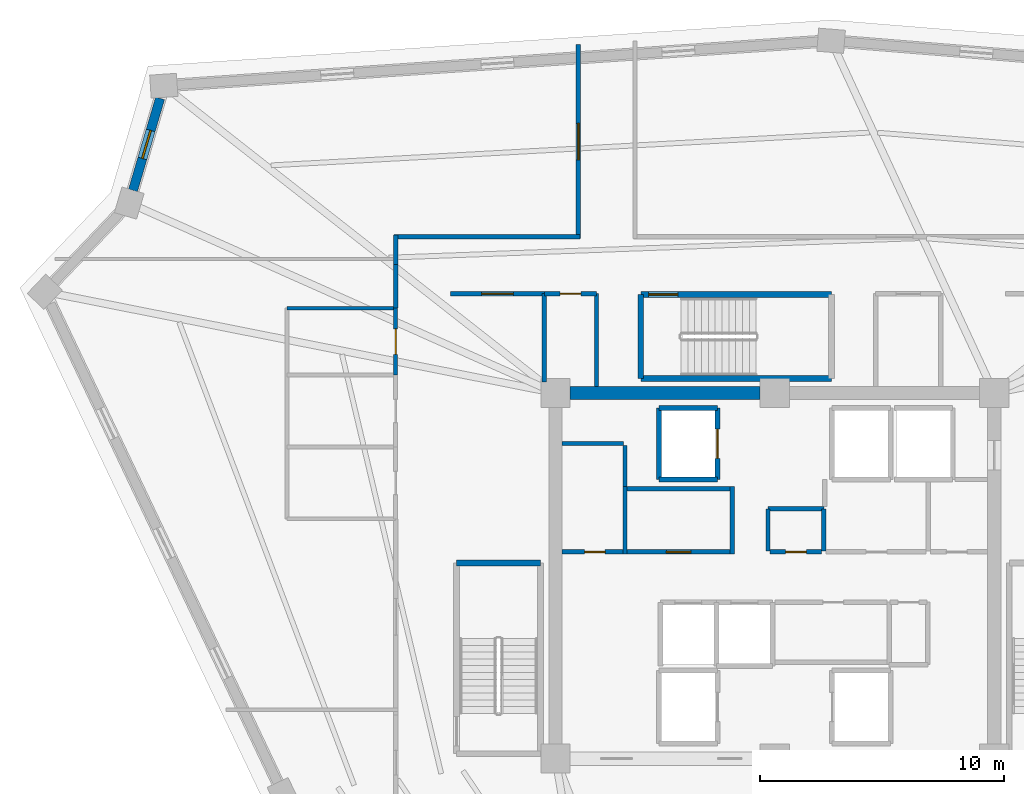
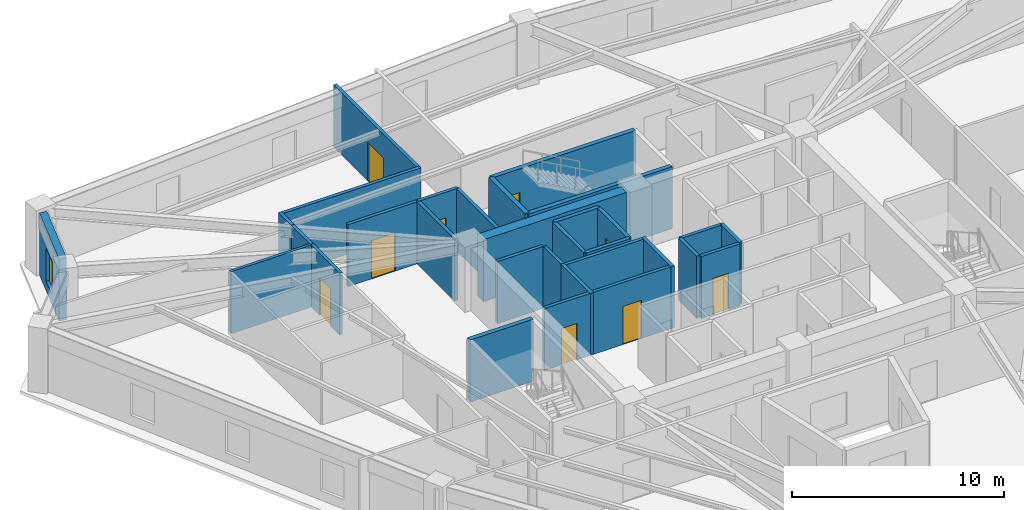
# One storey, part 5 of 8: 31 walls, 9 doors, 1 window, 10 openings.
"""IFC4 building model written with IfcOpenShell, lengths in metres."""

from ifc_helpers import new_model, si_unit, direction, frame, frame_2d, origin, place, context, subcontext, project, spatial, rectangle, extrude, source, transform, mapped, material, layer, layer_set, type_object, element, fill, save


model = new_model("IFC4")

# Units and contexts
model_context = context("Model", 3, precision=1e-05, world=origin(), true_north=direction((0.0, 1.0)))
body_context = subcontext(model_context, "Body", "Model", "MODEL_VIEW")
ifc_project = project(units=[si_unit("LENGTHUNIT", "METRE"), si_unit("AREAUNIT", "SQUARE_METRE"), si_unit("VOLUMEUNIT", "CUBIC_METRE"), si_unit("PLANEANGLEUNIT", "RADIAN"), si_unit("MASSUNIT", "GRAM", prefix="KILO")], contexts=[model_context])

# Site, building, storey
site_placement = place(None, origin())
site = spatial("IfcSite", under=ifc_project, at=site_placement, CompositionType="ELEMENT")
building_placement = place(site_placement, origin())
building = spatial("IfcBuilding", under=site, at=building_placement, Name="Liaohun Quay Tower", CompositionType="ELEMENT")
storey_placement = place(building_placement, frame((0.0, 0.0, 312.75)))
storey = spatial("IfcBuildingStorey", under=building, at=storey_placement, Name="L81", CompositionType="ELEMENT", Elevation=312.75)

# Wall
ifc_material_1 = material(Name="Concrete C50", Category="concrete")
ifc_layer_1 = layer(ifc_material_1, 0.550048828125, Name="Concrete C50", Category="concrete")
ifc_layer_set_1 = layer_set([ifc_layer_1], Name="Concrete C50")
wall_type_1 = type_object("IfcWallType", Name="WAL-COR-Z4", PredefinedType="SHEAR", material=ifc_layer_set_1)
wall_1_placement = place(storey_placement, frame((51.60009765625, 61.5, 0.0), z_axis=(0.0, 0.0, 1.0), x_axis=(1.0, 0.0, 0.0)))
element("IfcWall", 1, at=wall_1_placement, inside=storey, type_object=wall_type_1, Name="L81 Central Core Shear Wall N-W", PredefinedType="SHEAR", context=body_context, shape_type="SweptSolid", body=[
    extrude(rectangle(XDim=7.7998046875, YDim=0.550048828125, at=frame_2d((3.89990234375, 0.0))), origin(), (0.0, 0.0, 1.0), 3.570068359375),
])

# Wall, opening, window
ifc_material_2 = material(Name="Precast concrete C50 insulated sandwich", Category="concrete")
ifc_layer_2 = layer(ifc_material_2, 0.3798828125, Name="Precast concrete C50 insulated sandwich", Category="concrete")
ifc_layer_set_2 = layer_set([ifc_layer_2], Name="Precast concrete C50 insulated sandwich")
wall_type_2 = type_object("IfcWallType", Name="WAL-EXT-Z34", PredefinedType="SOLIDWALL", material=ifc_layer_set_2)
wall_2_placement = place(storey_placement, frame((34.77197265625, 73.591064453125, 0.0), z_axis=(0.0, 0.0, 1.0), x_axis=(-0.282434871617, -0.959286476134, 0.0)))
wall_2 = element("IfcWall", 2, at=wall_2_placement, inside=storey, type_object=wall_type_2, Name="L81 Brutalist Precast Pier Wall 08", PredefinedType="SOLIDWALL", context=body_context, shape_type="SweptSolid", body=[
    extrude(rectangle(XDim=3.9375, YDim=0.3798828125, at=frame_2d((1.96875, 0.0))), origin(), (0.0, 0.0, 1.0), 3.570068359375),
])
shared_shape_1 = source(origin(), body_context, "Body", "SweptSolid", [
    extrude(rectangle(XDim=1.199951171875, YDim=1.89990234375, at=frame_2d((0.60009765625, 0.949951171875))), frame((0.0, 0.199951171875, 0.0), z_axis=(0.0, -1.0, 0.0), x_axis=(1.0, 0.0, 0.0)), (0.0, 0.0, 1.0), 0.39990234375),
])
opening_1_placement = place(wall_2_placement, frame((1.368896484375, 0.0, 0.550048828125)))
opening_1 = element("IfcOpeningElement", 3, at=opening_1_placement, cuts=wall_2, Name="Opening W05", PredefinedType="OPENING", context=body_context, shape_type="MappedRepresentation", body=[
    mapped(shared_shape_1, transform((0.0, 0.0, 0.0), x_axis=(1.0, 0.0, 0.0), y_axis=(0.0, 1.0, 0.0), z_axis=(0.0, 0.0, 1.0), scale=1.0)),
])
ifc_material_3 = material(Name="Triple Low-E corner notch glazing", Category="glass")
window_type = type_object("IfcWindowType", Name="WIN-NOTCH", PartitioningType="SINGLE_PANEL", PredefinedType="WINDOW", material=ifc_material_3)
shared_shape_2 = source(origin(), body_context, "Body", "SweptSolid", [
    extrude(rectangle(XDim=1.199951171875, YDim=1.89990234375, at=frame_2d((0.60009765625, 0.949951171875))), frame((0.0, 0.030029296875, 0.0), z_axis=(0.0, -1.0, 0.0), x_axis=(1.0, 0.0, 0.0)), (0.0, 0.0, 1.0), 0.06005859375),
])
window_placement = place(opening_1_placement, origin())
window = element("IfcWindow", 4, at=window_placement, inside=storey, type_object=window_type, Name="L81 Corner Notch Window W05-08", OverallHeight=1.89990234375, OverallWidth=1.199951171875, PartitioningType="SINGLE_PANEL", PredefinedType="WINDOW", context=body_context, shape_type="MappedRepresentation", body=[
    mapped(shared_shape_2, transform((0.0, 0.0, 0.0), x_axis=(1.0, 0.0, 0.0), y_axis=(0.0, 1.0, 0.0), z_axis=(0.0, 0.0, 1.0), scale=1.0)),
])
fill(opening_1, window)

# Wall, opening, door
ifc_material_4 = material(Name="Autoclaved aerated concrete blockwork", Category="masonry")
ifc_layer_3 = layer(ifc_material_4, 0.179931640625, Name="Autoclaved aerated concrete blockwork", Category="masonry")
ifc_layer_set_3 = layer_set([ifc_layer_3], Name="Autoclaved aerated concrete blockwork")
wall_type_3 = type_object("IfcWallType", Name="WAL-PRT-COR", PredefinedType="PARTITIONING", material=ifc_layer_set_3)
wall_3_placement = place(storey_placement, frame((53.93994140625, 54.97998046875, 0.0), z_axis=(0.0, 0.0, 1.0), x_axis=(1.0, 0.0, 0.0)))
wall_3 = element("IfcWall", 5, at=wall_3_placement, inside=storey, type_object=wall_type_3, Name="L81 Interior Partition Wall 002", PredefinedType="PARTITIONING", context=body_context, shape_type="SweptSolid", body=[
    extrude(rectangle(XDim=4.219970703125, YDim=0.179931640625, at=frame_2d((2.10986328125, 0.0))), origin(), (0.0, 0.0, 1.0), 3.570068359375),
])
shared_shape_3 = source(origin(), body_context, "Body", "SweptSolid", [
    extrude(rectangle(XDim=1.0, YDim=2.199951171875, at=frame_2d((0.5, 1.10009765625))), frame((0.0, 0.099853515625, 0.0), z_axis=(0.0, -1.0, 0.0), x_axis=(1.0, 0.0, 0.0)), (0.0, 0.0, 1.0), 0.199951171875),
])
opening_2_placement = place(wall_3_placement, frame((1.610107421875, 0.0, 0.0)))
opening_2 = element("IfcOpeningElement", 6, at=opening_2_placement, cuts=wall_3, Name="Opening OD1", PredefinedType="OPENING", context=body_context, shape_type="MappedRepresentation", body=[
    mapped(shared_shape_3, transform((0.0, 0.0, 0.0), x_axis=(1.0, 0.0, 0.0), y_axis=(0.0, 1.0, 0.0), z_axis=(0.0, 0.0, 1.0), scale=1.0)),
])
ifc_material_5 = material(Name="Solid-core oak veneer timber leaf in steel frame", Category="steel")
door_type_1 = type_object("IfcDoorType", Name="DOR-OFF-1000", OperationType="NOTDEFINED", PredefinedType="DOOR", material=ifc_material_5)
shared_shape_4 = source(origin(), body_context, "Body", "SweptSolid", [
    extrude(rectangle(XDim=1.0, YDim=2.199951171875, at=frame_2d((0.5, 1.10009765625))), frame((0.0, 0.02490234375, 0.0), z_axis=(0.0, -1.0, 0.0), x_axis=(1.0, 0.0, 0.0)), (0.0, 0.0, 1.0), 0.050048828125),
])
door_1_placement = place(opening_2_placement, origin())
door_1 = element("IfcDoor", 7, at=door_1_placement, inside=storey, type_object=door_type_1, Name="L81 Core Staff Pantry and Tea Room Door", OperationType="SINGLE_SWING_LEFT", OverallHeight=2.199951171875, OverallWidth=1.0, PredefinedType="DOOR", context=body_context, shape_type="MappedRepresentation", body=[
    mapped(shared_shape_4, transform((0.0, 0.0, 0.0), x_axis=(1.0, 0.0, 0.0), y_axis=(0.0, 1.0, 0.0), z_axis=(0.0, 0.0, 1.0), scale=1.0)),
])
fill(opening_2, door_1)

wall_4_placement = place(storey_placement, frame((51.27490234375, 54.97998046875, 0.0), z_axis=(0.0, 0.0, 1.0), x_axis=(1.0, 0.0, 0.0)))
wall_4 = element("IfcWall", 8, at=wall_4_placement, inside=storey, type_object=wall_type_3, Name="L81 Interior Partition Wall 003", PredefinedType="PARTITIONING", context=body_context, shape_type="SweptSolid", body=[
    extrude(rectangle(XDim=2.485107421875, YDim=0.179931640625, at=frame_2d((1.24267578125, 0.0))), origin(), (0.0, 0.0, 1.0), 3.570068359375),
])
shared_shape_5 = source(origin(), body_context, "Body", "SweptSolid", [
    extrude(rectangle(XDim=0.85009765625, YDim=2.10009765625, at=frame_2d((0.425048828125, 1.050048828125))), frame((0.0, 0.099853515625, 0.0), z_axis=(0.0, -1.0, 0.0), x_axis=(1.0, 0.0, 0.0)), (0.0, 0.0, 1.0), 0.199951171875),
])
opening_3_placement = place(wall_4_placement, frame((0.9150390625, 0.0, 0.0)))
opening_3 = element("IfcOpeningElement", 9, at=opening_3_placement, cuts=wall_4, Name="Opening AD1", PredefinedType="OPENING", context=body_context, shape_type="MappedRepresentation", body=[
    mapped(shared_shape_5, transform((0.0, 0.0, 0.0), x_axis=(1.0, 0.0, 0.0), y_axis=(0.0, 1.0, 0.0), z_axis=(0.0, 0.0, 1.0), scale=1.0)),
])
ifc_material_6 = material(Name="Steel riser inspection fire door", Category="steel")
door_type_2 = type_object("IfcDoorType", Name="DOR-SHF-850", OperationType="NOTDEFINED", PredefinedType="DOOR", material=ifc_material_6)
shared_shape_6 = source(origin(), body_context, "Body", "SweptSolid", [
    extrude(rectangle(XDim=0.85009765625, YDim=2.10009765625, at=frame_2d((0.425048828125, 1.050048828125))), frame((0.0, 0.02490234375, 0.0), z_axis=(0.0, -1.0, 0.0), x_axis=(1.0, 0.0, 0.0)), (0.0, 0.0, 1.0), 0.050048828125),
])
door_2_placement = place(opening_3_placement, origin())
door_2 = element("IfcDoor", 10, at=door_2_placement, inside=storey, type_object=door_type_2, Name="L81 Core High-Zone Archive and Riser Store Door", OperationType="SINGLE_SWING_RIGHT", OverallHeight=2.10009765625, OverallWidth=0.85009765625, PredefinedType="DOOR", context=body_context, shape_type="MappedRepresentation", body=[
    mapped(shared_shape_6, transform((0.0, 0.0, 0.0), x_axis=(1.0, 0.0, 0.0), y_axis=(0.0, 1.0, 0.0), z_axis=(0.0, 0.0, 1.0), scale=1.0)),
])
fill(opening_3, door_2)

wall_5_placement = place(storey_placement, frame((59.81005859375, 54.97998046875, 0.0), z_axis=(0.0, 0.0, 1.0), x_axis=(1.0, 0.0, 0.0)))
wall_5 = element("IfcWall", 11, at=wall_5_placement, inside=storey, type_object=wall_type_3, Name="L81 Interior Partition Wall 006", PredefinedType="PARTITIONING", context=body_context, shape_type="SweptSolid", body=[
    extrude(rectangle(XDim=2.10986328125, YDim=0.179931640625, at=frame_2d((1.054931640625, 0.0))), origin(), (0.0, 0.0, 1.0), 3.570068359375),
])
opening_4_placement = place(wall_5_placement, frame((0.635009765625, 0.0, 0.0)))
opening_4 = element("IfcOpeningElement", 12, at=opening_4_placement, cuts=wall_5, Name="Opening AD1", PredefinedType="OPENING", context=body_context, shape_type="MappedRepresentation", body=[
    mapped(shared_shape_5, transform((0.0, 0.0, 0.0), x_axis=(1.0, 0.0, 0.0), y_axis=(0.0, 1.0, 0.0), z_axis=(0.0, 0.0, 1.0), scale=1.0)),
])
door_3_placement = place(opening_4_placement, origin())
door_3 = element("IfcDoor", 13, at=door_3_placement, inside=storey, type_object=door_type_2, Name="L81 Electrical Meter Room Door", OperationType="SINGLE_SWING_LEFT", OverallHeight=2.10009765625, OverallWidth=0.85009765625, PredefinedType="DOOR", context=body_context, shape_type="MappedRepresentation", body=[
    mapped(shared_shape_6, transform((0.0, 0.0, 0.0), x_axis=(1.0, 0.0, 0.0), y_axis=(0.0, 1.0, 0.0), z_axis=(0.0, 0.0, 1.0), scale=1.0)),
])
fill(opening_4, door_3)

wall_6_placement = place(storey_placement, frame((50.5400390625, 65.580078125, 0.0), z_axis=(0.0, 0.0, 1.0), x_axis=(1.0, 0.0, 0.0)))
wall_6 = element("IfcWall", 14, at=wall_6_placement, inside=storey, type_object=wall_type_3, Name="L81 Interior Partition Wall 011", PredefinedType="PARTITIONING", context=body_context, shape_type="SweptSolid", body=[
    extrude(rectangle(XDim=2.139892578125, YDim=0.179931640625, at=frame_2d((1.06982421875, 0.0))), origin(), (0.0, 0.0, 1.0), 3.570068359375),
])
opening_5_placement = place(wall_6_placement, frame((0.64501953125, 0.0, 0.0)))
opening_5 = element("IfcOpeningElement", 15, at=opening_5_placement, cuts=wall_6, Name="Opening AD1", PredefinedType="OPENING", context=body_context, shape_type="MappedRepresentation", body=[
    mapped(shared_shape_5, transform((0.0, 0.0, 0.0), x_axis=(1.0, 0.0, 0.0), y_axis=(0.0, 1.0, 0.0), z_axis=(0.0, 0.0, 1.0), scale=1.0)),
])
door_4_placement = place(opening_5_placement, origin())
door_4 = element("IfcDoor", 16, at=door_4_placement, inside=storey, type_object=door_type_2, Name="L81 North-West Supply Store Door", OperationType="SINGLE_SWING_RIGHT", OverallHeight=2.10009765625, OverallWidth=0.85009765625, PredefinedType="DOOR", context=body_context, shape_type="MappedRepresentation", body=[
    mapped(shared_shape_6, transform((0.0, 0.0, 0.0), x_axis=(1.0, 0.0, 0.0), y_axis=(0.0, 1.0, 0.0), z_axis=(0.0, 0.0, 1.0), scale=1.0)),
])
fill(opening_5, door_4)

wall_7_placement = place(storey_placement, frame((46.699951171875, 65.580078125, 0.0), z_axis=(0.0, 0.0, 1.0), x_axis=(1.0, 0.0, 0.0)))
wall_7 = element("IfcWall", 17, at=wall_7_placement, inside=storey, type_object=wall_type_3, Name="L81 Interior Partition Wall 013", PredefinedType="PARTITIONING", context=body_context, shape_type="SweptSolid", body=[
    extrude(rectangle(XDim=3.840087890625, YDim=0.179931640625, at=frame_2d((1.919921875, 0.0))), origin(), (0.0, 0.0, 1.0), 3.570068359375),
])
shared_shape_7 = source(origin(), body_context, "Body", "SweptSolid", [
    extrude(rectangle(XDim=1.300048828125, YDim=2.199951171875, at=frame_2d((0.64990234375, 1.10009765625))), frame((0.0, 0.099853515625, 0.0), z_axis=(0.0, -1.0, 0.0), x_axis=(1.0, 0.0, 0.0)), (0.0, 0.0, 1.0), 0.199951171875),
])
opening_6_placement = place(wall_7_placement, frame((1.27001953125, 0.0, 0.0)))
opening_6 = element("IfcOpeningElement", 18, at=opening_6_placement, cuts=wall_7, Name="Opening FD1", PredefinedType="OPENING", context=body_context, shape_type="MappedRepresentation", body=[
    mapped(shared_shape_7, transform((0.0, 0.0, 0.0), x_axis=(1.0, 0.0, 0.0), y_axis=(0.0, 1.0, 0.0), z_axis=(0.0, 0.0, 1.0), scale=1.0)),
])
ifc_material_7 = material(Name="Galvanised steel smokeproof fire door", Category="steel")
door_type_3 = type_object("IfcDoorType", Name="DOR-FFL-1300", OperationType="NOTDEFINED", PredefinedType="DOOR", material=ifc_material_7)
shared_shape_8 = source(origin(), body_context, "Body", "SweptSolid", [
    extrude(rectangle(XDim=1.300048828125, YDim=2.199951171875, at=frame_2d((0.64990234375, 1.10009765625))), frame((0.0, 0.02490234375, 0.0), z_axis=(0.0, -1.0, 0.0), x_axis=(1.0, 0.0, 0.0)), (0.0, 0.0, 1.0), 0.050048828125),
])
door_5_placement = place(opening_6_placement, origin())
door_5 = element("IfcDoor", 19, at=door_5_placement, inside=storey, type_object=door_type_3, Name="L81 West Core Vestibule Door", OperationType="SINGLE_SWING_RIGHT", OverallHeight=2.199951171875, OverallWidth=1.300048828125, PredefinedType="DOOR", context=body_context, shape_type="MappedRepresentation", body=[
    mapped(shared_shape_8, transform((0.0, 0.0, 0.0), x_axis=(1.0, 0.0, 0.0), y_axis=(0.0, 1.0, 0.0), z_axis=(0.0, 0.0, 1.0), scale=1.0)),
])
fill(opening_6, door_5)

wall_8_placement = place(storey_placement, frame((51.93994140625, 67.840087890625, 0.0), z_axis=(0.0, 0.0, 1.0), x_axis=(0.0, 1.0, 0.0)))
wall_8 = element("IfcWall", 20, at=wall_8_placement, inside=storey, type_object=wall_type_3, Name="L81 Interior Partition Wall 018", PredefinedType="PARTITIONING", context=body_context, shape_type="SweptSolid", body=[
    extrude(rectangle(XDim=7.95703125, YDim=0.179931640625, at=frame_2d((3.978515625, 0.0))), origin(), (0.0, 0.0, 1.0), 3.570068359375),
])
shared_shape_9 = source(origin(), body_context, "Body", "SweptSolid", [
    extrude(rectangle(XDim=1.5, YDim=2.199951171875, at=frame_2d((0.75, 1.10009765625))), frame((0.0, 0.099853515625, 0.0), z_axis=(0.0, -1.0, 0.0), x_axis=(1.0, 0.0, 0.0)), (0.0, 0.0, 1.0), 0.199951171875),
])
opening_7_placement = place(wall_8_placement, frame((3.22802734375, 0.0, 0.0)))
opening_7 = element("IfcOpeningElement", 21, at=opening_7_placement, cuts=wall_8, Name="Opening OD2", PredefinedType="OPENING", context=body_context, shape_type="MappedRepresentation", body=[
    mapped(shared_shape_9, transform((0.0, 0.0, 0.0), x_axis=(1.0, 0.0, 0.0), y_axis=(0.0, 1.0, 0.0), z_axis=(0.0, 0.0, 1.0), scale=1.0)),
])
ifc_material_8 = material(Name="Acoustic oak veneer double door")
door_type_4 = type_object("IfcDoorType", Name="DOR-OFF-1500", OperationType="DOUBLE_DOOR_SINGLE_SWING", PredefinedType="DOOR", material=ifc_material_8)
shared_shape_10 = source(origin(), body_context, "Body", "SweptSolid", [
    extrude(rectangle(XDim=1.5, YDim=2.199951171875, at=frame_2d((0.75, 1.10009765625))), frame((0.0, 0.02490234375, 0.0), z_axis=(0.0, -1.0, 0.0), x_axis=(1.0, 0.0, 0.0)), (0.0, 0.0, 1.0), 0.050048828125),
])
door_6_placement = place(opening_7_placement, origin())
door_6 = element("IfcDoor", 22, at=door_6_placement, inside=storey, type_object=door_type_4, Name="L81 Project Collaboration Studio 04 Door", OperationType="DOUBLE_DOOR_SINGLE_SWING", OverallHeight=2.199951171875, OverallWidth=1.5, PredefinedType="DOOR", context=body_context, shape_type="MappedRepresentation", body=[
    mapped(shared_shape_10, transform((0.0, 0.0, 0.0), x_axis=(1.0, 0.0, 0.0), y_axis=(0.0, 1.0, 0.0), z_axis=(0.0, 0.0, 1.0), scale=1.0)),
])
fill(opening_7, door_6)

# Walls
wall_9_placement = place(storey_placement, frame((51.27490234375, 59.429931640625, 0.0), z_axis=(0.0, 0.0, 1.0), x_axis=(1.0, 0.0, 0.0)))
element("IfcWall", 23, at=wall_9_placement, inside=storey, type_object=wall_type_3, Name="L81 Interior Partition Wall 024", PredefinedType="PARTITIONING", context=body_context, shape_type="SweptSolid", body=[
    extrude(rectangle(XDim=2.505126953125, YDim=0.179931640625, at=frame_2d((1.25244140625, 0.0))), origin(), (0.0, 0.0, 1.0), 3.570068359375),
])
for number, where, z_axis, x_axis, name in (
    (24, (59.719970703125, 55.02001953125, 0.0), (0.0, 0.0, 1.0), (0.0, 1.0, 0.0), "L81 Interior Partition Wall 026"),
    (25, (62.010009765625, 55.02001953125, 0.0), (0.0, 0.0, 1.0), (0.0, 1.0, 0.0), "L81 Interior Partition Wall 027"),
):
    element("IfcWall", number, at=place(storey_placement, frame(where, z_axis=z_axis, x_axis=x_axis)), inside=storey, type_object=wall_type_3, Name=name, PredefinedType="PARTITIONING", context=body_context, shape_type="SweptSolid", body=[
        extrude(rectangle(XDim=1.72998046875, YDim=0.179931640625, at=frame_2d((0.864990234375, 0.0))), origin(), (0.0, 0.0, 1.0), 3.570068359375),
    ])
wall_10_placement = place(storey_placement, frame((59.719970703125, 56.75, 0.0), z_axis=(0.0, 0.0, 1.0), x_axis=(1.0, 0.0, 0.0)))
element("IfcWall", 26, at=wall_10_placement, inside=storey, type_object=wall_type_3, Name="L81 Interior Partition Wall 028", PredefinedType="PARTITIONING", context=body_context, shape_type="SweptSolid", body=[
    extrude(rectangle(XDim=2.2900390625, YDim=0.179931640625, at=frame_2d((1.14501953125, 0.0))), origin(), (0.0, 0.0, 1.0), 3.570068359375),
])
wall_11_placement = place(storey_placement, frame((50.5400390625, 61.949951171875, 0.0), z_axis=(0.0, 0.0, 1.0), x_axis=(0.0, 1.0, 0.0)))
element("IfcWall", 27, at=wall_11_placement, inside=storey, type_object=wall_type_3, Name="L81 Interior Partition Wall 037", PredefinedType="PARTITIONING", context=body_context, shape_type="SweptSolid", body=[
    extrude(rectangle(XDim=3.630126953125, YDim=0.179931640625, at=frame_2d((1.81494140625, 0.0))), origin(), (0.0, 0.0, 1.0), 3.570068359375),
])
wall_12_placement = place(storey_placement, frame((52.679931640625, 61.77490234375, 0.0), z_axis=(0.0, 0.0, 1.0), x_axis=(0.0, 1.0, 0.0)))
element("IfcWall", 28, at=wall_12_placement, inside=storey, type_object=wall_type_3, Name="L81 Interior Partition Wall 038", PredefinedType="PARTITIONING", context=body_context, shape_type="SweptSolid", body=[
    extrude(rectangle(XDim=3.80517578125, YDim=0.179931640625, at=frame_2d((1.902587890625, 0.0))), origin(), (0.0, 0.0, 1.0), 3.570068359375),
])
wall_13_placement = place(storey_placement, frame((44.3701171875, 67.909912109375, 0.0), z_axis=(0.0, 0.0, 1.0), x_axis=(1.0, 0.0, 0.0)))
element("IfcWall", 29, at=wall_13_placement, inside=storey, type_object=wall_type_3, Name="L81 Interior Partition Wall 044", PredefinedType="PARTITIONING", context=body_context, shape_type="SweptSolid", body=[
    extrude(rectangle(XDim=7.639892578125, YDim=0.179931640625, at=frame_2d((3.81982421875, 0.0))), origin(), (0.0, 0.0, 1.0), 3.570068359375),
])
wall_14_placement = place(storey_placement, frame((44.43994140625, 66.784912109375, 0.0), z_axis=(0.0, 0.0, 1.0), x_axis=(0.0, 1.0, 0.0)))
element("IfcWall", 30, at=wall_14_placement, inside=storey, type_object=wall_type_3, Name="L81 Interior Partition Wall 045", PredefinedType="PARTITIONING", context=body_context, shape_type="SweptSolid", body=[
    extrude(rectangle(XDim=1.195068359375, YDim=0.179931640625, at=frame_2d((0.59765625, 0.0))), origin(), (0.0, 0.0, 1.0), 3.570068359375),
])
wall_15_placement = place(storey_placement, frame((44.43994140625, 64.97998046875, 0.0), z_axis=(0.0, 0.0, 1.0), x_axis=(0.0, 1.0, 0.0)))
element("IfcWall", 31, at=wall_15_placement, inside=storey, type_object=wall_type_3, Name="L81 Interior Partition Wall 046", PredefinedType="PARTITIONING", context=body_context, shape_type="SweptSolid", body=[
    extrude(rectangle(XDim=1.804931640625, YDim=0.179931640625, at=frame_2d((0.90234375, 0.0))), origin(), (0.0, 0.0, 1.0), 3.570068359375),
])
for number, where, z_axis, x_axis, name in (
    (32, (53.85009765625, 54.889892578125, 0.0), (0.0, 0.0, 1.0), (0.0, 1.0, 0.0), "L81 Interior Partition Wall 058"),
    (33, (58.25, 54.889892578125, 0.0), (0.0, 0.0, 1.0), (0.0, 1.0, 0.0), "L81 Interior Partition Wall 059"),
):
    element("IfcWall", number, at=place(storey_placement, frame(where, z_axis=z_axis, x_axis=x_axis)), inside=storey, type_object=wall_type_3, Name=name, PredefinedType="PARTITIONING", context=body_context, shape_type="SweptSolid", body=[
        extrude(rectangle(XDim=2.780029296875, YDim=0.179931640625, at=frame_2d((1.39013671875, 0.0))), origin(), (0.0, 0.0, 1.0), 3.570068359375),
    ])
wall_16_placement = place(storey_placement, frame((53.93994140625, 57.580078125, 0.0), z_axis=(0.0, 0.0, 1.0), x_axis=(1.0, 0.0, 0.0)))
element("IfcWall", 34, at=wall_16_placement, inside=storey, type_object=wall_type_3, Name="L81 Interior Partition Wall 060", PredefinedType="PARTITIONING", context=body_context, shape_type="SweptSolid", body=[
    extrude(rectangle(XDim=4.219970703125, YDim=0.179931640625, at=frame_2d((2.10986328125, 0.0))), origin(), (0.0, 0.0, 1.0), 3.570068359375),
])
wall_17_placement = place(storey_placement, frame((53.85009765625, 57.669921875, 0.0), z_axis=(0.0, 0.0, 1.0), x_axis=(0.0, 1.0, 0.0)))
element("IfcWall", 35, at=wall_17_placement, inside=storey, type_object=wall_type_3, Name="L81 Interior Partition Wall 061", PredefinedType="PARTITIONING", context=body_context, shape_type="SweptSolid", body=[
    extrude(rectangle(XDim=1.670166015625, YDim=0.179931640625, at=frame_2d((0.8349609375, 0.0))), origin(), (0.0, 0.0, 1.0), 3.570068359375),
])

# Wall, opening, door
ifc_material_9 = material(Name="Moisture-resistant masonry blockwork", Category="masonry")
ifc_layer_4 = layer(ifc_material_9, 0.159912109375, Name="Moisture-resistant masonry blockwork", Category="masonry")
ifc_layer_set_4 = layer_set([ifc_layer_4], Name="Moisture-resistant masonry blockwork")
wall_type_4 = type_object("IfcWallType", Name="WAL-PRT-WET", PredefinedType="PARTITIONING", material=ifc_layer_set_4)
wall_18_placement = place(storey_placement, frame((44.43994140625, 62.239990234375, 0.0), z_axis=(0.0, 0.0, 1.0), x_axis=(0.0, 1.0, 0.0)))
wall_18 = element("IfcWall", 36, at=wall_18_placement, inside=storey, type_object=wall_type_4, Name="L81 Interior Partition Wall 010", PredefinedType="PARTITIONING", context=body_context, shape_type="SweptSolid", body=[
    extrude(rectangle(XDim=2.739990234375, YDim=0.159912109375, at=frame_2d((1.3701171875, 0.0))), origin(), (0.0, 0.0, 1.0), 3.570068359375),
])
shared_shape_11 = source(origin(), body_context, "Body", "SweptSolid", [
    extrude(rectangle(XDim=1.050048828125, YDim=2.14990234375, at=frame_2d((0.52490234375, 1.074951171875))), frame((0.0, 0.08984375, 0.0), z_axis=(0.0, -1.0, 0.0), x_axis=(1.0, 0.0, 0.0)), (0.0, 0.0, 1.0), 0.179931640625),
])
opening_8_placement = place(wall_18_placement, frame((0.844970703125, 0.0, 0.0)))
opening_8 = element("IfcOpeningElement", 37, at=opening_8_placement, cuts=wall_18, Name="Opening WD2", PredefinedType="OPENING", context=body_context, shape_type="MappedRepresentation", body=[
    mapped(shared_shape_11, transform((0.0, 0.0, 0.0), x_axis=(1.0, 0.0, 0.0), y_axis=(0.0, 1.0, 0.0), z_axis=(0.0, 0.0, 1.0), scale=1.0)),
])
ifc_material_10 = material(Name="Accessible outward-swinging laminate door")
door_type_5 = type_object("IfcDoorType", Name="DOR-AWC-1050", OperationType="NOTDEFINED", PredefinedType="DOOR", material=ifc_material_10)
shared_shape_12 = source(origin(), body_context, "Body", "SweptSolid", [
    extrude(rectangle(XDim=1.050048828125, YDim=2.14990234375, at=frame_2d((0.52490234375, 1.074951171875))), frame((0.0, 0.02490234375, 0.0), z_axis=(0.0, -1.0, 0.0), x_axis=(1.0, 0.0, 0.0)), (0.0, 0.0, 1.0), 0.050048828125),
])
door_7_placement = place(opening_8_placement, origin())
door_7 = element("IfcDoor", 38, at=door_7_placement, inside=storey, type_object=door_type_5, Name="L81 Accessible WC Door", OperationType="SINGLE_SWING_LEFT", OverallHeight=2.14990234375, OverallWidth=1.050048828125, PredefinedType="DOOR", context=body_context, shape_type="MappedRepresentation", body=[
    mapped(shared_shape_12, transform((0.0, 0.0, 0.0), x_axis=(1.0, 0.0, 0.0), y_axis=(0.0, 1.0, 0.0), z_axis=(0.0, 0.0, 1.0), scale=1.0)),
])
fill(opening_8, door_7)

# Walls
wall_19_placement = place(storey_placement, frame((39.97998046875, 64.97998046875, 0.0), z_axis=(0.0, 0.0, 1.0), x_axis=(1.0, 0.0, 0.0)))
element("IfcWall", 39, at=wall_19_placement, inside=storey, type_object=wall_type_4, Name="L81 Interior Partition Wall 036", PredefinedType="PARTITIONING", context=body_context, shape_type="SweptSolid", body=[
    extrude(rectangle(XDim=4.4599609375, YDim=0.159912109375, at=frame_2d((2.22998046875, 0.0))), origin(), (0.0, 0.0, 1.0), 3.570068359375),
])
ifc_layer_5 = layer(ifc_material_1, 0.239990234375, Name="Concrete C50", Category="concrete")
ifc_layer_set_5 = layer_set([ifc_layer_5], Name="Concrete C50")
wall_type_5 = type_object("IfcWallType", Name="WAL-SHF-200", PredefinedType="SOLIDWALL", material=ifc_layer_set_5)
wall_20_placement = place(storey_placement, frame((50.3798828125, 54.52001953125, 0.0), z_axis=(0.0, 0.0, 1.0), x_axis=(-1.0, 0.0, 0.0)))
element("IfcWall", 40, at=wall_20_placement, inside=storey, type_object=wall_type_5, Name="L81 Stairwell ST-1 Structural Core Wall N", PredefinedType="SOLIDWALL", context=body_context, shape_type="SweptSolid", body=[
    extrude(rectangle(XDim=3.43994140625, YDim=0.239990234375, at=frame_2d((1.719970703125, 0.0))), origin(), (0.0, 0.0, 1.0), 3.570068359375),
])
wall_21_placement = place(storey_placement, frame((54.5, 62.10009765625, 0.0), z_axis=(0.0, 0.0, 1.0), x_axis=(1.0, 0.0, 0.0)))
element("IfcWall", 41, at=wall_21_placement, inside=storey, type_object=wall_type_5, Name="L81 Stairwell ST-3 Structural Core Wall S", PredefinedType="SOLIDWALL", context=body_context, shape_type="SweptSolid", body=[
    extrude(rectangle(XDim=7.820068359375, YDim=0.239990234375, at=frame_2d((3.91015625, 0.0))), origin(), (0.0, 0.0, 1.0), 3.570068359375),
])

# Wall, opening, door
wall_22_placement = place(storey_placement, frame((62.320068359375, 65.5400390625, 0.0), z_axis=(0.0, 0.0, 1.0), x_axis=(-1.0, 0.0, 0.0)))
wall_22 = element("IfcWall", 42, at=wall_22_placement, inside=storey, type_object=wall_type_5, Name="L81 Stairwell ST-3 Structural Core Wall N", PredefinedType="SOLIDWALL", context=body_context, shape_type="SweptSolid", body=[
    extrude(rectangle(XDim=7.820068359375, YDim=0.239990234375, at=frame_2d((3.91015625, 0.0))), origin(), (0.0, 0.0, 1.0), 3.570068359375),
])
shared_shape_13 = source(origin(), body_context, "Body", "SweptSolid", [
    extrude(rectangle(XDim=1.199951171875, YDim=2.199951171875, at=frame_2d((0.60009765625, 1.10009765625))), frame((0.0, 0.1298828125, 0.0), z_axis=(0.0, -1.0, 0.0), x_axis=(1.0, 0.0, 0.0)), (0.0, 0.0, 1.0), 0.260009765625),
])
opening_9_placement = place(wall_22_placement, frame((6.300048828125, 0.0, 0.0)))
opening_9 = element("IfcOpeningElement", 43, at=opening_9_placement, cuts=wall_22, Name="Opening SD1", PredefinedType="OPENING", context=body_context, shape_type="MappedRepresentation", body=[
    mapped(shared_shape_13, transform((0.0, 0.0, 0.0), x_axis=(1.0, 0.0, 0.0), y_axis=(0.0, 1.0, 0.0), z_axis=(0.0, 0.0, 1.0), scale=1.0)),
])
ifc_material_11 = material(Name="Galvanised steel fire door", Category="steel")
door_type_6 = type_object("IfcDoorType", Name="DOR-STR-1200", OperationType="NOTDEFINED", PredefinedType="DOOR", material=ifc_material_11)
shared_shape_14 = source(origin(), body_context, "Body", "SweptSolid", [
    extrude(rectangle(XDim=1.199951171875, YDim=2.199951171875, at=frame_2d((0.60009765625, 1.10009765625))), frame((0.0, 0.02490234375, 0.0), z_axis=(0.0, -1.0, 0.0), x_axis=(1.0, 0.0, 0.0)), (0.0, 0.0, 1.0), 0.050048828125),
])
door_8_placement = place(opening_9_placement, origin())
door_8 = element("IfcDoor", 44, at=door_8_placement, inside=storey, type_object=door_type_6, Name="L81 Protected Stair ST-3 Fire Door", OperationType="SINGLE_SWING_RIGHT", OverallHeight=2.199951171875, OverallWidth=1.199951171875, PredefinedType="DOOR", context=body_context, shape_type="MappedRepresentation", body=[
    mapped(shared_shape_14, transform((0.0, 0.0, 0.0), x_axis=(1.0, 0.0, 0.0), y_axis=(0.0, 1.0, 0.0), z_axis=(0.0, 0.0, 1.0), scale=1.0)),
])
fill(opening_9, door_8)

# Walls
wall_23_placement = place(storey_placement, frame((54.5, 65.5400390625, 0.0), z_axis=(0.0, 0.0, 1.0), x_axis=(0.0, -1.0, 0.0)))
element("IfcWall", 45, at=wall_23_placement, inside=storey, type_object=wall_type_5, Name="L81 Stairwell ST-3 Structural Core Wall W", PredefinedType="SOLIDWALL", context=body_context, shape_type="SweptSolid", body=[
    extrude(rectangle(XDim=3.43994140625, YDim=0.239990234375, at=frame_2d((1.719970703125, 0.0))), origin(), (0.0, 0.0, 1.0), 3.570068359375),
])
wall_24_placement = place(storey_placement, frame((55.25, 57.949951171875, 0.0), z_axis=(0.0, 0.0, 1.0), x_axis=(1.0, 0.0, 0.0)))
element("IfcWall", 46, at=wall_24_placement, inside=storey, type_object=wall_type_5, Name="L81 Lift FF-03 Hoistway Wall S", PredefinedType="SOLIDWALL", context=body_context, shape_type="SweptSolid", body=[
    extrude(rectangle(XDim=2.39990234375, YDim=0.199951171875, at=frame_2d((1.199951171875, 0.0))), origin(), (0.0, 0.0, 1.0), 3.570068359375),
])

# Wall, opening, door
wall_25_placement = place(storey_placement, frame((57.64990234375, 57.949951171875, 0.0), z_axis=(0.0, 0.0, 1.0), x_axis=(0.0, 1.0, 0.0)))
wall_25 = element("IfcWall", 47, at=wall_25_placement, inside=storey, type_object=wall_type_5, Name="L81 Lift FF-03 Hoistway Wall E", PredefinedType="SOLIDWALL", context=body_context, shape_type="SweptSolid", body=[
    extrude(rectangle(XDim=2.929931640625, YDim=0.199951171875, at=frame_2d((1.46484375, 0.0))), origin(), (0.0, 0.0, 1.0), 3.570068359375),
])
shared_shape_15 = source(origin(), body_context, "Body", "SweptSolid", [
    extrude(rectangle(XDim=1.199951171875, YDim=2.300048828125, at=frame_2d((0.60009765625, 1.14990234375))), frame((0.0, 0.10986328125, 0.0), z_axis=(0.0, -1.0, 0.0), x_axis=(1.0, 0.0, 0.0)), (0.0, 0.0, 1.0), 0.219970703125),
])
opening_10_placement = place(wall_25_placement, frame((0.864990234375, 0.0, 0.0)))
opening_10 = element("IfcOpeningElement", 48, at=opening_10_placement, cuts=wall_25, Name="Opening LD2", PredefinedType="OPENING", context=body_context, shape_type="MappedRepresentation", body=[
    mapped(shared_shape_15, transform((0.0, 0.0, 0.0), x_axis=(1.0, 0.0, 0.0), y_axis=(0.0, 1.0, 0.0), z_axis=(0.0, 0.0, 1.0), scale=1.0)),
])
ifc_material_12 = material(Name="Brushed stainless steel stretcher landing door", Category="steel")
door_type_7 = type_object("IfcDoorType", Name="DOR-LFT-1200", OperationType="SLIDING_TO_LEFT", PredefinedType="DOOR", material=ifc_material_12)
shared_shape_16 = source(origin(), body_context, "Body", "SweptSolid", [
    extrude(rectangle(XDim=1.199951171875, YDim=2.300048828125, at=frame_2d((0.60009765625, 1.14990234375))), frame((0.0, 0.02490234375, 0.0), z_axis=(0.0, -1.0, 0.0), x_axis=(1.0, 0.0, 0.0)), (0.0, 0.0, 1.0), 0.050048828125),
])
door_9_placement = place(opening_10_placement, origin())
door_9 = element("IfcDoor", 49, at=door_9_placement, inside=storey, type_object=door_type_7, Name="L81 Lift FF-03 Sliding Landing Door", OperationType="SLIDING_TO_LEFT", OverallHeight=2.300048828125, OverallWidth=1.199951171875, PredefinedType="DOOR", context=body_context, shape_type="MappedRepresentation", body=[
    mapped(shared_shape_16, transform((0.0, 0.0, 0.0), x_axis=(1.0, 0.0, 0.0), y_axis=(0.0, 1.0, 0.0), z_axis=(0.0, 0.0, 1.0), scale=1.0)),
])
fill(opening_10, door_9)

# Walls
wall_26_placement = place(storey_placement, frame((57.64990234375, 60.8798828125, 0.0), z_axis=(0.0, 0.0, 1.0), x_axis=(-1.0, 0.0, 0.0)))
element("IfcWall", 50, at=wall_26_placement, inside=storey, type_object=wall_type_5, Name="L81 Lift FF-03 Hoistway Wall N", PredefinedType="SOLIDWALL", context=body_context, shape_type="SweptSolid", body=[
    extrude(rectangle(XDim=2.39990234375, YDim=0.199951171875, at=frame_2d((1.199951171875, 0.0))), origin(), (0.0, 0.0, 1.0), 3.570068359375),
])
wall_27_placement = place(storey_placement, frame((55.25, 60.8798828125, 0.0), z_axis=(0.0, 0.0, 1.0), x_axis=(0.0, -1.0, 0.0)))
element("IfcWall", 51, at=wall_27_placement, inside=storey, type_object=wall_type_5, Name="L81 Lift FF-03 Hoistway Wall W", PredefinedType="SOLIDWALL", context=body_context, shape_type="SweptSolid", body=[
    extrude(rectangle(XDim=2.929931640625, YDim=0.199951171875, at=frame_2d((1.46484375, 0.0))), origin(), (0.0, 0.0, 1.0), 3.570068359375),
])

save(model, "model.ifc")
